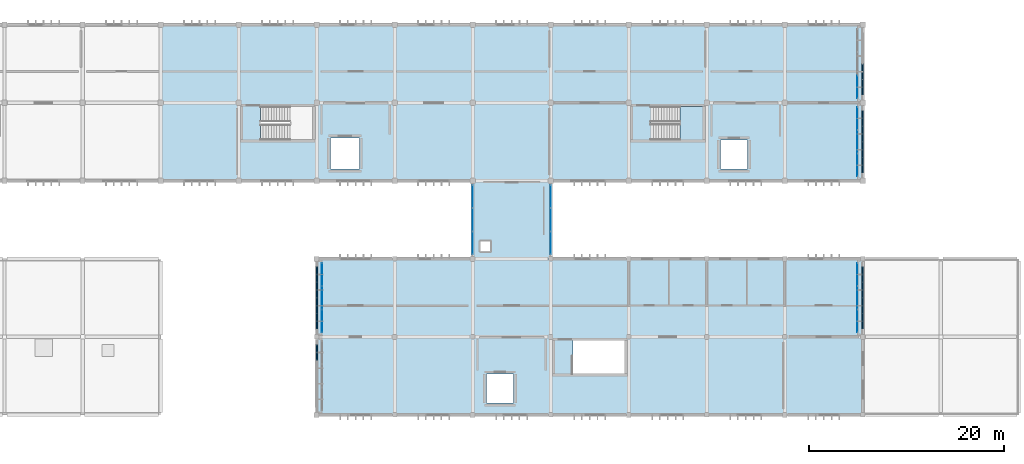
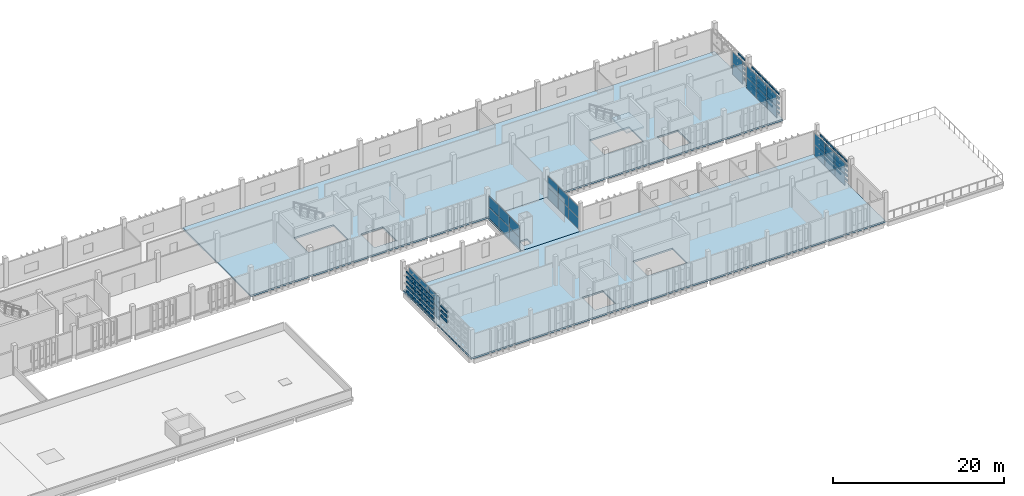
# One storey, part 18 of 32: 101 plates, 4 slabs, 7 elements without a shape of their own.
"""IFC4 building model written with IfcOpenShell, lengths in metres."""

import ifcopenshell
import ifcopenshell.guid

model = None  # the IFC model being written
_history = None  # IfcOwnerHistory: only IFC2X3 demands one
_inside = {}  # id of a spatial element -> (the spatial element, [elements in it])
_under = {}  # id of a project, library or spatial element -> (it, [spatial elements below it])
_declared = {}  # id of a project -> (the project, [libraries it declares])
_typed = {}  # id of a type object -> (the type object, [elements of that type])
_made_of = {}  # id of a material, layer set ... -> (it, [elements and type objects made of it])


def new_model(schema):
    """Start an empty IFC model of exactly this schema.

    Asked for "IFC4X3", IfcOpenShell would pick the latest addendum, in which some entities
    have other attributes; the version numbers below select the first issue.
    IFC2X3 requires an IfcOwnerHistory on every rooted entity: one is made here for all.
    """
    global model, _history
    if schema == "IFC4X3":
        model = ifcopenshell.file(schema_version=(4, 3, 0, 0))
    else:
        model = ifcopenshell.file(schema=schema)
    _inside.clear()
    _under.clear()
    _declared.clear()
    _typed.clear()
    _made_of.clear()
    _history = None
    if model.schema == "IFC2X3":
        org = make("IfcOrganization", Name="unknown")
        user = make(
            "IfcPersonAndOrganization",
            ThePerson=make("IfcPerson", FamilyName="unknown"),
            TheOrganization=org,
        )
        app = make(
            "IfcApplication",
            ApplicationDeveloper=org,
            Version="unknown",
            ApplicationFullName="unknown",
            ApplicationIdentifier="unknown",
        )
        _history = make(
            "IfcOwnerHistory",
            OwningUser=user,
            OwningApplication=app,
            ChangeAction="ADDED",
            CreationDate=0,
        )
    return model


def make(cls, **values):
    """One entity of the class cls with the attributes given. An attribute that is None is left unset."""
    return model.create_entity(
        cls, **{name: value for name, value in values.items() if value is not None}
    )


def rooted(cls, **values):
    """An entity with a GlobalId (a new one), such as an element, a storey or a relation."""
    return make(cls, GlobalId=ifcopenshell.guid.new(), OwnerHistory=_history, **values)


def si_unit(unit_type, name, prefix=None):
    """IfcSIUnit, for example si_unit("LENGTHUNIT", "METRE", prefix="MILLI")."""
    return make("IfcSIUnit", UnitType=unit_type, Prefix=prefix, Name=name)


def assignment(units):
    """IfcUnitAssignment: the units of a project."""
    return None if units is None else make("IfcUnitAssignment", Units=units)


def point(xyz):
    """IfcCartesianPoint."""
    return None if xyz is None else make("IfcCartesianPoint", Coordinates=xyz)


def direction(xyz):
    """IfcDirection."""
    return None if xyz is None else make("IfcDirection", DirectionRatios=xyz)


def frame(location, z_axis=None, x_axis=None):
    """IfcAxis2Placement3D, a coordinate frame: its origin and axes. An axis left out is left unset."""
    return make(
        "IfcAxis2Placement3D",
        Location=point(location),
        Axis=direction(z_axis),
        RefDirection=direction(x_axis),
    )


def frame_2d(location, x_axis=None):
    """IfcAxis2Placement2D, a coordinate frame in the plane: its origin and x axis."""
    return make(
        "IfcAxis2Placement2D", Location=point(location), RefDirection=direction(x_axis)
    )


def origin():
    """The frame at (0, 0, 0) with its axes left unset."""
    return frame((0.0, 0.0, 0.0))


def origin_2d():
    """The frame at (0, 0) in the plane with its x axis left unset."""
    return frame_2d((0.0, 0.0))


def place(relative_to, where):
    """IfcLocalPlacement: puts the frame where relative to a parent placement (None: the world)."""
    return make(
        "IfcLocalPlacement", PlacementRelTo=relative_to, RelativePlacement=where
    )


def context(
    kind, dimensions, precision=None, world=None, true_north=None, identifier=None
):
    """IfcGeometricRepresentationContext, for example the 3D "Model" context."""
    return make(
        "IfcGeometricRepresentationContext",
        ContextIdentifier=identifier,
        ContextType=kind,
        CoordinateSpaceDimension=dimensions,
        Precision=precision,
        WorldCoordinateSystem=world,
        TrueNorth=true_north,
    )


def subcontext(parent, identifier, kind, view, scale=None):
    """IfcGeometricRepresentationSubContext, for example "Body" below "Model"."""
    return make(
        "IfcGeometricRepresentationSubContext",
        ContextIdentifier=identifier,
        ContextType=kind,
        ParentContext=parent,
        TargetScale=scale,
        TargetView=view,
    )


def project(units=None, contexts=None):
    """IfcProject with its units and contexts."""
    return rooted(
        "IfcProject",
        Name="project",
        RepresentationContexts=contexts,
        UnitsInContext=assignment(units),
    )


def spatial(cls, under=None, at=None, **own):
    """A site, building, storey or space (cls), placed at a placement, below another one or the project."""
    s = rooted(cls, ObjectPlacement=at, **own)
    if under is not None:
        _under.setdefault(under.id(), (under, []))[1].append(s)
    return s


def polyline(points):
    """IfcPolyline through the points."""
    return make("IfcPolyline", Points=[point(p) for p in points])


def profile(cls, at=None, kind="AREA", **sizes):
    """A parametric profile (cls). Its sizes go by their IFC names, for example OverallWidth=200.0."""
    return make(cls, ProfileType=kind, Position=at, **sizes)


def rectangle(**sizes):
    """IfcRectangleProfileDef."""
    return profile("IfcRectangleProfileDef", **sizes)


def outline(outer, holes=None, kind="AREA"):
    """IfcArbitraryClosedProfileDef: a profile drawn as a closed curve; with holes, ...WithVoids."""
    if holes is None:
        return make("IfcArbitraryClosedProfileDef", ProfileType=kind, OuterCurve=outer)
    return make(
        "IfcArbitraryProfileDefWithVoids",
        ProfileType=kind,
        OuterCurve=outer,
        InnerCurves=holes,
    )


def extrude(swept, where, along, depth):
    """IfcExtrudedAreaSolid: the profile swept, set in the frame where, extruded along a direction by depth."""
    return make(
        "IfcExtrudedAreaSolid",
        SweptArea=swept,
        Position=where,
        ExtrudedDirection=direction(along),
        Depth=depth,
    )


def shape(context_of_items, identifier, shape_type, items):
    """IfcShapeRepresentation: the items that make up one representation, for example the "Body"."""
    return make(
        "IfcShapeRepresentation",
        ContextOfItems=context_of_items,
        RepresentationIdentifier=identifier,
        RepresentationType=shape_type,
        Items=items,
    )


def material(Name=None, Category=None):
    """IfcMaterial."""
    return make("IfcMaterial", Name=Name, Category=Category)


def layer(
    of_material, thickness, ventilated=None, Name=None, Category=None, Priority=None
):
    """IfcMaterialLayer: one layer of a wall or slab, of a material (None: an air gap)."""
    return make(
        "IfcMaterialLayer",
        Material=of_material,
        LayerThickness=thickness,
        IsVentilated=ventilated,
        Name=Name,
        Category=Category,
        Priority=Priority,
    )


def layer_set(layers, Name=None):
    """IfcMaterialLayerSet."""
    return make("IfcMaterialLayerSet", MaterialLayers=layers, LayerSetName=Name)


def made_of(thing, what):
    """Note that an element or type object is made of a material, layer set ...; save() writes the relation."""
    if what is not None:
        _made_of.setdefault(what.id(), (what, []))[1].append(thing)
    return thing


def type_object(cls, material=None, **own):
    """A type object (cls), such as IfcWallType, which elements share."""
    return made_of(rooted(cls, **own), material)


def element(
    cls,
    number,
    at=None,
    inside=None,
    cuts=None,
    type_object=None,
    material=None,
    context=None,
    identifier="Body",
    shape_type=None,
    held_by="IfcProductDefinitionShape",
    body=None,
    shapes=None,
    **own,
):
    """One element of the class cls, such as IfcWall. Its Tag is "e" and its number.

    at: its placement. inside: the storey or other place that contains it. cuts: it is an
    opening in that element (IfcRelVoidsElement). A single representation is given by context,
    identifier, shape_type and body (its items); several are given by shapes. held_by: the class
    of the entity that holds the representations. save() writes the other relations.
    """
    e = rooted(cls, Tag="e%d" % number, ObjectPlacement=at, **own)
    if body is not None:
        shapes = [shape(context, identifier, shape_type, body)]
    if shapes is not None:
        e.Representation = make(held_by, Representations=shapes)
    if inside is not None:
        _inside.setdefault(inside.id(), (inside, []))[1].append(e)
    if cuts is not None:
        rooted(
            "IfcRelVoidsElement", RelatingBuildingElement=cuts, RelatedOpeningElement=e
        )
    if type_object is not None:
        _typed.setdefault(type_object.id(), (type_object, []))[1].append(e)
    return made_of(e, material)


def aggregate(whole, parts):
    """IfcRelAggregates: a whole, such as a stair, and the parts it consists of."""
    return rooted("IfcRelAggregates", RelatingObject=whole, RelatedObjects=parts)


def save(model, path):
    """Write the relations noted so far, then the file.

    IfcRelAggregates (storeys below a building ...), IfcRelContainedInSpatialStructure (elements
    in a storey), IfcRelDefinesByType, IfcRelAssociatesMaterial and IfcRelDeclares: one each for
    every whole, place, type object, material and project.
    """
    for whole, parts in _under.values():
        aggregate(whole, parts)
    for where, things in _inside.values():
        rooted(
            "IfcRelContainedInSpatialStructure",
            RelatedElements=things,
            RelatingStructure=where,
        )
    for kind, things in _typed.values():
        rooted("IfcRelDefinesByType", RelatedObjects=things, RelatingType=kind)
    for what, things in _made_of.values():
        rooted("IfcRelAssociatesMaterial", RelatedObjects=things, RelatingMaterial=what)
    for by, libraries in _declared.values():
        rooted("IfcRelDeclares", RelatingContext=by, RelatedDefinitions=libraries)
    model.write(path)


model = new_model("IFC4")

# Units and contexts
model_context = context("Model", 3, precision=1e-05, world=origin(), true_north=direction((0.0, 1.0)))
body_context = subcontext(model_context, "Body", "Model", "MODEL_VIEW")
ifc_project = project(units=[si_unit("LENGTHUNIT", "METRE"), si_unit("AREAUNIT", "SQUARE_METRE"), si_unit("VOLUMEUNIT", "CUBIC_METRE"), si_unit("PLANEANGLEUNIT", "RADIAN"), si_unit("MASSUNIT", "GRAM", prefix="KILO")], contexts=[model_context])

# Site, building, storey
site_placement = place(None, origin())
site = spatial("IfcSite", under=ifc_project, at=site_placement, CompositionType="ELEMENT")
building_placement = place(site_placement, origin())
building = spatial("IfcBuilding", under=site, at=building_placement, Name="Jelvoka-Kovrelna Polytechnic", CompositionType="ELEMENT")
storey_placement = place(building_placement, frame((0.0, 0.0, 26.39990234375)))
storey = spatial("IfcBuildingStorey", under=building, at=storey_placement, Name="L07", CompositionType="ELEMENT", Elevation=26.39990234375)

# Curtain wall, plates
ifc_material_1 = material(Name="Anodised aluminium 6063-T6", Category="aluminium")
ifc_layer_1 = layer(ifc_material_1, 0.159912109375)
ifc_layer_set_1 = layer_set([ifc_layer_1], Name="Anodised aluminium 6063-T6")
curtain_wall_type_1 = type_object("IfcCurtainWallType", Name="CW_Recessed_A", PredefinedType="NOTDEFINED", material=ifc_layer_set_1)
curtain_wall_1_placement = place(storey_placement, origin())
curtain_wall_1 = element("IfcCurtainWall", 1, at=curtain_wall_1_placement, inside=storey, type_object=curtain_wall_type_1, Name="L07 glazed curtain wall 079", PredefinedType="NOTDEFINED")
ifc_material_2 = material(Name="Solar-control double glazing", Category="glass")
ifc_layer_2 = layer(ifc_material_2, 0.028076171875)
ifc_layer_set_2 = layer_set([ifc_layer_2], Name="Solar-control double glazing")
plate_type_1 = type_object("IfcPlateType", Name="Panel_GP-01", PredefinedType="CURTAIN_PANEL", material=ifc_layer_set_2)
plate_1_placement = place(storey_placement, frame((128.56005859375, 41.614990234375, 0.052001953125), z_axis=(0.0, 0.0, 1.0), x_axis=(0.0, 1.0, 0.0)))
plate_1 = element("IfcPlate", 2, at=plate_1_placement, type_object=plate_type_1, Name="CW-01 panel 1.1", PredefinedType="CURTAIN_PANEL", context=body_context, shape_type="SweptSolid", body=[
    extrude(rectangle(XDim=2.326171875, YDim=0.028076171875, at=origin_2d()), origin(), (0.0, 0.0, 1.0), 1.60107421875),
])
plate_2_placement = place(storey_placement, frame((128.56005859375, 41.614990234375, 1.697021484375), z_axis=(0.0, 0.0, 1.0), x_axis=(0.0, 1.0, 0.0)))
plate_2 = element("IfcPlate", 3, at=plate_2_placement, type_object=plate_type_1, Name="CW-01 panel 1.2", PredefinedType="CURTAIN_PANEL", context=body_context, shape_type="SweptSolid", body=[
    extrude(rectangle(XDim=2.326171875, YDim=0.028076171875, at=origin_2d()), origin(), (0.0, 0.0, 1.0), 1.60107421875),
])
plate_3_placement = place(storey_placement, frame((128.56005859375, 44.0, 0.052001953125), z_axis=(0.0, 0.0, 1.0), x_axis=(0.0, 1.0, 0.0)))
plate_3 = element("IfcPlate", 4, at=plate_3_placement, type_object=plate_type_1, Name="CW-01 panel 2.1", PredefinedType="CURTAIN_PANEL", context=body_context, shape_type="SweptSolid", body=[
    extrude(rectangle(XDim=2.356201171875, YDim=0.028076171875, at=origin_2d()), origin(), (0.0, 0.0, 1.0), 1.60107421875),
])
plate_4_placement = place(storey_placement, frame((128.56005859375, 44.0, 1.697021484375), z_axis=(0.0, 0.0, 1.0), x_axis=(0.0, 1.0, 0.0)))
plate_4 = element("IfcPlate", 5, at=plate_4_placement, type_object=plate_type_1, Name="CW-01 panel 2.2", PredefinedType="CURTAIN_PANEL", context=body_context, shape_type="SweptSolid", body=[
    extrude(rectangle(XDim=2.356201171875, YDim=0.028076171875, at=origin_2d()), origin(), (0.0, 0.0, 1.0), 1.60107421875),
])
plate_5_placement = place(storey_placement, frame((128.56005859375, 46.385009765625, 0.052001953125), z_axis=(0.0, 0.0, 1.0), x_axis=(0.0, 1.0, 0.0)))
plate_5 = element("IfcPlate", 6, at=plate_5_placement, type_object=plate_type_1, Name="CW-01 panel 3.1", PredefinedType="CURTAIN_PANEL", context=body_context, shape_type="SweptSolid", body=[
    extrude(rectangle(XDim=2.326171875, YDim=0.028076171875, at=origin_2d()), origin(), (0.0, 0.0, 1.0), 1.60107421875),
])
plate_6_placement = place(storey_placement, frame((128.56005859375, 46.385009765625, 1.697021484375), z_axis=(0.0, 0.0, 1.0), x_axis=(0.0, 1.0, 0.0)))
plate_6 = element("IfcPlate", 7, at=plate_6_placement, type_object=plate_type_1, Name="CW-01 panel 3.2", PredefinedType="CURTAIN_PANEL", context=body_context, shape_type="SweptSolid", body=[
    extrude(rectangle(XDim=2.326171875, YDim=0.028076171875, at=origin_2d()), origin(), (0.0, 0.0, 1.0), 1.60107421875),
])
aggregate(curtain_wall_1, [plate_1, plate_2, plate_3, plate_4, plate_5, plate_6])

curtain_wall_2_placement = place(storey_placement, origin())
curtain_wall_2 = element("IfcCurtainWall", 8, at=curtain_wall_2_placement, inside=storey, type_object=curtain_wall_type_1, Name="L07 glazed curtain wall 080", PredefinedType="NOTDEFINED")
plate_7_placement = place(storey_placement, frame((183.43994140625, 46.385009765625, 0.052001953125), z_axis=(0.0, 0.0, 1.0), x_axis=(0.0, -1.0, 0.0)))
plate_7 = element("IfcPlate", 9, at=plate_7_placement, type_object=plate_type_1, Name="CW-01 panel 1.1", PredefinedType="CURTAIN_PANEL", context=body_context, shape_type="SweptSolid", body=[
    extrude(rectangle(XDim=2.326171875, YDim=0.028076171875, at=origin_2d()), origin(), (0.0, 0.0, 1.0), 1.60107421875),
])
plate_8_placement = place(storey_placement, frame((183.43994140625, 46.385009765625, 1.697021484375), z_axis=(0.0, 0.0, 1.0), x_axis=(0.0, -1.0, 0.0)))
plate_8 = element("IfcPlate", 10, at=plate_8_placement, type_object=plate_type_1, Name="CW-01 panel 1.2", PredefinedType="CURTAIN_PANEL", context=body_context, shape_type="SweptSolid", body=[
    extrude(rectangle(XDim=2.326171875, YDim=0.028076171875, at=origin_2d()), origin(), (0.0, 0.0, 1.0), 1.60107421875),
])
plate_9_placement = place(storey_placement, frame((183.43994140625, 44.0, 0.052001953125), z_axis=(0.0, 0.0, 1.0), x_axis=(0.0, -1.0, 0.0)))
plate_9 = element("IfcPlate", 11, at=plate_9_placement, type_object=plate_type_1, Name="CW-01 panel 2.1", PredefinedType="CURTAIN_PANEL", context=body_context, shape_type="SweptSolid", body=[
    extrude(rectangle(XDim=2.356201171875, YDim=0.028076171875, at=origin_2d()), origin(), (0.0, 0.0, 1.0), 1.60107421875),
])
plate_10_placement = place(storey_placement, frame((183.43994140625, 44.0, 1.697021484375), z_axis=(0.0, 0.0, 1.0), x_axis=(0.0, -1.0, 0.0)))
plate_10 = element("IfcPlate", 12, at=plate_10_placement, type_object=plate_type_1, Name="CW-01 panel 2.2", PredefinedType="CURTAIN_PANEL", context=body_context, shape_type="SweptSolid", body=[
    extrude(rectangle(XDim=2.356201171875, YDim=0.028076171875, at=origin_2d()), origin(), (0.0, 0.0, 1.0), 1.60107421875),
])
plate_11_placement = place(storey_placement, frame((183.43994140625, 41.614990234375, 0.052001953125), z_axis=(0.0, 0.0, 1.0), x_axis=(0.0, -1.0, 0.0)))
plate_11 = element("IfcPlate", 13, at=plate_11_placement, type_object=plate_type_1, Name="CW-01 panel 3.1", PredefinedType="CURTAIN_PANEL", context=body_context, shape_type="SweptSolid", body=[
    extrude(rectangle(XDim=2.326171875, YDim=0.028076171875, at=origin_2d()), origin(), (0.0, 0.0, 1.0), 1.60107421875),
])
plate_12_placement = place(storey_placement, frame((183.43994140625, 41.614990234375, 1.697021484375), z_axis=(0.0, 0.0, 1.0), x_axis=(0.0, -1.0, 0.0)))
plate_12 = element("IfcPlate", 14, at=plate_12_placement, type_object=plate_type_1, Name="CW-01 panel 3.2", PredefinedType="CURTAIN_PANEL", context=body_context, shape_type="SweptSolid", body=[
    extrude(rectangle(XDim=2.326171875, YDim=0.028076171875, at=origin_2d()), origin(), (0.0, 0.0, 1.0), 1.60107421875),
])
aggregate(curtain_wall_2, [plate_7, plate_8, plate_9, plate_10, plate_11, plate_12])

ifc_material_3 = material(Name="Anodised aluminium 6063-T6", Category="aluminium")
ifc_layer_3 = layer(ifc_material_3, 0.179931640625)
ifc_layer_set_3 = layer_set([ifc_layer_3], Name="Anodised aluminium 6063-T6")
curtain_wall_type_2 = type_object("IfcCurtainWallType", Name="CW_Recessed_B", PredefinedType="NOTDEFINED", material=ifc_layer_set_3)
curtain_wall_3_placement = place(storey_placement, origin())
curtain_wall_3 = element("IfcCurtainWall", 15, at=curtain_wall_3_placement, inside=storey, type_object=curtain_wall_type_2, Name="L07 glazed curtain wall 095", PredefinedType="NOTDEFINED")
ifc_material_4 = material(Name="Solar-control double glazing", Category="glass")
ifc_layer_4 = layer(ifc_material_4, 0.031982421875)
ifc_layer_set_4 = layer_set([ifc_layer_4], Name="Solar-control double glazing")
plate_type_2 = type_object("IfcPlateType", Name="Panel_GP-02", PredefinedType="CURTAIN_PANEL", material=ifc_layer_set_4)
plate_13_placement = place(storey_placement, frame((183.43994140625, 62.3837890625, 0.056884765625), z_axis=(0.0, 0.0, 1.0), x_axis=(0.0, -1.0, 0.0)))
plate_13 = element("IfcPlate", 16, at=plate_13_placement, type_object=plate_type_2, Name="CW-02 panel 1.1", PredefinedType="CURTAIN_PANEL", context=body_context, shape_type="SweptSolid", body=[
    extrude(rectangle(XDim=2.318603515625, YDim=0.031982421875, at=origin_2d()), origin(), (0.0, 0.0, 1.0), 1.593505859375),
])
plate_14_placement = place(storey_placement, frame((183.43994140625, 62.3837890625, 1.699462890625), z_axis=(0.0, 0.0, 1.0), x_axis=(0.0, -1.0, 0.0)))
plate_14 = element("IfcPlate", 17, at=plate_14_placement, type_object=plate_type_2, Name="CW-02 panel 1.2", PredefinedType="CURTAIN_PANEL", context=body_context, shape_type="SweptSolid", body=[
    extrude(rectangle(XDim=2.318603515625, YDim=0.031982421875, at=origin_2d()), origin(), (0.0, 0.0, 1.0), 1.593505859375),
])
plate_15_placement = place(storey_placement, frame((183.43994140625, 60.0, 0.056884765625), z_axis=(0.0, 0.0, 1.0), x_axis=(0.0, -1.0, 0.0)))
plate_15 = element("IfcPlate", 18, at=plate_15_placement, type_object=plate_type_2, Name="CW-02 panel 2.1", PredefinedType="CURTAIN_PANEL", context=body_context, shape_type="SweptSolid", body=[
    extrude(rectangle(XDim=2.35107421875, YDim=0.031982421875, at=origin_2d()), origin(), (0.0, 0.0, 1.0), 1.593505859375),
])
plate_16_placement = place(storey_placement, frame((183.43994140625, 60.0, 1.699462890625), z_axis=(0.0, 0.0, 1.0), x_axis=(0.0, -1.0, 0.0)))
plate_16 = element("IfcPlate", 19, at=plate_16_placement, type_object=plate_type_2, Name="CW-02 panel 2.2", PredefinedType="CURTAIN_PANEL", context=body_context, shape_type="SweptSolid", body=[
    extrude(rectangle(XDim=2.35107421875, YDim=0.031982421875, at=origin_2d()), origin(), (0.0, 0.0, 1.0), 1.593505859375),
])
plate_17_placement = place(storey_placement, frame((183.43994140625, 57.6162109375, 0.056884765625), z_axis=(0.0, 0.0, 1.0), x_axis=(0.0, -1.0, 0.0)))
plate_17 = element("IfcPlate", 20, at=plate_17_placement, type_object=plate_type_2, Name="CW-02 panel 3.1", PredefinedType="CURTAIN_PANEL", context=body_context, shape_type="SweptSolid", body=[
    extrude(rectangle(XDim=2.318603515625, YDim=0.031982421875, at=origin_2d()), origin(), (0.0, 0.0, 1.0), 1.593505859375),
])
plate_18_placement = place(storey_placement, frame((183.43994140625, 57.6162109375, 1.699462890625), z_axis=(0.0, 0.0, 1.0), x_axis=(0.0, -1.0, 0.0)))
plate_18 = element("IfcPlate", 21, at=plate_18_placement, type_object=plate_type_2, Name="CW-02 panel 3.2", PredefinedType="CURTAIN_PANEL", context=body_context, shape_type="SweptSolid", body=[
    extrude(rectangle(XDim=2.318603515625, YDim=0.031982421875, at=origin_2d()), origin(), (0.0, 0.0, 1.0), 1.593505859375),
])
aggregate(curtain_wall_3, [plate_13, plate_14, plate_15, plate_16, plate_17, plate_18])

curtain_wall_4_placement = place(storey_placement, origin())
curtain_wall_4 = element("IfcCurtainWall", 22, at=curtain_wall_4_placement, inside=storey, type_object=curtain_wall_type_2, Name="L07 glazed curtain wall 096", PredefinedType="NOTDEFINED")
plate_19_placement = place(storey_placement, frame((183.43994140625, 65.6162109375, 0.056884765625), z_axis=(0.0, 0.0, 1.0), x_axis=(0.0, -1.0, 0.0)))
plate_19 = element("IfcPlate", 23, at=plate_19_placement, type_object=plate_type_2, Name="CW-02 panel 3.1", PredefinedType="CURTAIN_PANEL", context=body_context, shape_type="SweptSolid", body=[
    extrude(rectangle(XDim=2.318603515625, YDim=0.031982421875, at=origin_2d()), origin(), (0.0, 0.0, 1.0), 1.593505859375),
])
plate_20_placement = place(storey_placement, frame((183.43994140625, 65.6162109375, 1.699462890625), z_axis=(0.0, 0.0, 1.0), x_axis=(0.0, -1.0, 0.0)))
plate_20 = element("IfcPlate", 24, at=plate_20_placement, type_object=plate_type_2, Name="CW-02 panel 3.2", PredefinedType="CURTAIN_PANEL", context=body_context, shape_type="SweptSolid", body=[
    extrude(rectangle(XDim=2.318603515625, YDim=0.031982421875, at=origin_2d()), origin(), (0.0, 0.0, 1.0), 1.593505859375),
])
aggregate(curtain_wall_4, [plate_19, plate_20])

ifc_material_5 = material(Name="Anodised aluminium 6063-T6", Category="aluminium")
ifc_layer_5 = layer(ifc_material_5, 0.159912109375)
ifc_layer_set_5 = layer_set([ifc_layer_5], Name="Anodised aluminium 6063-T6")
curtain_wall_type_3 = type_object("IfcCurtainWallType", Name="CW_LinkBridge", PredefinedType="NOTDEFINED", material=ifc_layer_set_5)
curtain_wall_5_placement = place(storey_placement, origin())
curtain_wall_5 = element("IfcCurtainWall", 25, at=curtain_wall_5_placement, inside=storey, type_object=curtain_wall_type_3, Name="L07 glazed curtain wall 161", PredefinedType="NOTDEFINED")
ifc_material_6 = material(Name="Solar-control double glazing", Category="glass")
ifc_layer_6 = layer(ifc_material_6, 0.02392578125)
ifc_layer_set_6 = layer_set([ifc_layer_6], Name="Solar-control double glazing")
plate_type_3 = type_object("IfcPlateType", Name="Panel_GP-04", PredefinedType="CURTAIN_PANEL", material=ifc_layer_set_6)
plate_21_placement = place(storey_placement, frame((144.0, 49.614990234375, 0.052001953125), z_axis=(0.0, 0.0, 1.0), x_axis=(0.0, 1.0, 0.0)))
plate_21 = element("IfcPlate", 26, at=plate_21_placement, type_object=plate_type_3, Name="CW-04 panel 1.1", PredefinedType="CURTAIN_PANEL", context=body_context, shape_type="SweptSolid", body=[
    extrude(rectangle(XDim=2.326171875, YDim=0.02392578125, at=origin_2d()), origin(), (0.0, 0.0, 1.0), 1.60107421875),
])
plate_22_placement = place(storey_placement, frame((144.0, 49.614990234375, 1.697021484375), z_axis=(0.0, 0.0, 1.0), x_axis=(0.0, 1.0, 0.0)))
plate_22 = element("IfcPlate", 27, at=plate_22_placement, type_object=plate_type_3, Name="CW-04 panel 1.2", PredefinedType="CURTAIN_PANEL", context=body_context, shape_type="SweptSolid", body=[
    extrude(rectangle(XDim=2.326171875, YDim=0.02392578125, at=origin_2d()), origin(), (0.0, 0.0, 1.0), 1.60107421875),
])
plate_23_placement = place(storey_placement, frame((144.0, 52.0, 0.052001953125), z_axis=(0.0, 0.0, 1.0), x_axis=(0.0, 1.0, 0.0)))
plate_23 = element("IfcPlate", 28, at=plate_23_placement, type_object=plate_type_3, Name="CW-04 panel 2.1", PredefinedType="CURTAIN_PANEL", context=body_context, shape_type="SweptSolid", body=[
    extrude(rectangle(XDim=2.356201171875, YDim=0.02392578125, at=origin_2d()), origin(), (0.0, 0.0, 1.0), 1.60107421875),
])
plate_24_placement = place(storey_placement, frame((144.0, 52.0, 1.697021484375), z_axis=(0.0, 0.0, 1.0), x_axis=(0.0, 1.0, 0.0)))
plate_24 = element("IfcPlate", 29, at=plate_24_placement, type_object=plate_type_3, Name="CW-04 panel 2.2", PredefinedType="CURTAIN_PANEL", context=body_context, shape_type="SweptSolid", body=[
    extrude(rectangle(XDim=2.356201171875, YDim=0.02392578125, at=origin_2d()), origin(), (0.0, 0.0, 1.0), 1.60107421875),
])
plate_25_placement = place(storey_placement, frame((144.0, 54.385009765625, 0.052001953125), z_axis=(0.0, 0.0, 1.0), x_axis=(0.0, 1.0, 0.0)))
plate_25 = element("IfcPlate", 30, at=plate_25_placement, type_object=plate_type_3, Name="CW-04 panel 3.1", PredefinedType="CURTAIN_PANEL", context=body_context, shape_type="SweptSolid", body=[
    extrude(rectangle(XDim=2.326171875, YDim=0.02392578125, at=origin_2d()), origin(), (0.0, 0.0, 1.0), 1.60107421875),
])
plate_26_placement = place(storey_placement, frame((144.0, 54.385009765625, 1.697021484375), z_axis=(0.0, 0.0, 1.0), x_axis=(0.0, 1.0, 0.0)))
plate_26 = element("IfcPlate", 31, at=plate_26_placement, type_object=plate_type_3, Name="CW-04 panel 3.2", PredefinedType="CURTAIN_PANEL", context=body_context, shape_type="SweptSolid", body=[
    extrude(rectangle(XDim=2.326171875, YDim=0.02392578125, at=origin_2d()), origin(), (0.0, 0.0, 1.0), 1.60107421875),
])
aggregate(curtain_wall_5, [plate_21, plate_22, plate_23, plate_24, plate_25, plate_26])

curtain_wall_6_placement = place(storey_placement, origin())
curtain_wall_6 = element("IfcCurtainWall", 32, at=curtain_wall_6_placement, inside=storey, type_object=curtain_wall_type_3, Name="L07 glazed curtain wall 162", PredefinedType="NOTDEFINED")
plate_27_placement = place(storey_placement, frame((152.0, 54.385009765625, 0.052001953125), z_axis=(0.0, 0.0, 1.0), x_axis=(0.0, -1.0, 0.0)))
plate_27 = element("IfcPlate", 33, at=plate_27_placement, type_object=plate_type_3, Name="CW-04 panel 1.1", PredefinedType="CURTAIN_PANEL", context=body_context, shape_type="SweptSolid", body=[
    extrude(rectangle(XDim=2.326171875, YDim=0.02392578125, at=origin_2d()), origin(), (0.0, 0.0, 1.0), 1.60107421875),
])
plate_28_placement = place(storey_placement, frame((152.0, 54.385009765625, 1.697021484375), z_axis=(0.0, 0.0, 1.0), x_axis=(0.0, -1.0, 0.0)))
plate_28 = element("IfcPlate", 34, at=plate_28_placement, type_object=plate_type_3, Name="CW-04 panel 1.2", PredefinedType="CURTAIN_PANEL", context=body_context, shape_type="SweptSolid", body=[
    extrude(rectangle(XDim=2.326171875, YDim=0.02392578125, at=origin_2d()), origin(), (0.0, 0.0, 1.0), 1.60107421875),
])
plate_29_placement = place(storey_placement, frame((152.0, 52.0, 0.052001953125), z_axis=(0.0, 0.0, 1.0), x_axis=(0.0, -1.0, 0.0)))
plate_29 = element("IfcPlate", 35, at=plate_29_placement, type_object=plate_type_3, Name="CW-04 panel 2.1", PredefinedType="CURTAIN_PANEL", context=body_context, shape_type="SweptSolid", body=[
    extrude(rectangle(XDim=2.356201171875, YDim=0.02392578125, at=origin_2d()), origin(), (0.0, 0.0, 1.0), 1.60107421875),
])
plate_30_placement = place(storey_placement, frame((152.0, 52.0, 1.697021484375), z_axis=(0.0, 0.0, 1.0), x_axis=(0.0, -1.0, 0.0)))
plate_30 = element("IfcPlate", 36, at=plate_30_placement, type_object=plate_type_3, Name="CW-04 panel 2.2", PredefinedType="CURTAIN_PANEL", context=body_context, shape_type="SweptSolid", body=[
    extrude(rectangle(XDim=2.356201171875, YDim=0.02392578125, at=origin_2d()), origin(), (0.0, 0.0, 1.0), 1.60107421875),
])
plate_31_placement = place(storey_placement, frame((152.0, 49.614990234375, 0.052001953125), z_axis=(0.0, 0.0, 1.0), x_axis=(0.0, -1.0, 0.0)))
plate_31 = element("IfcPlate", 37, at=plate_31_placement, type_object=plate_type_3, Name="CW-04 panel 3.1", PredefinedType="CURTAIN_PANEL", context=body_context, shape_type="SweptSolid", body=[
    extrude(rectangle(XDim=2.326171875, YDim=0.02392578125, at=origin_2d()), origin(), (0.0, 0.0, 1.0), 1.60107421875),
])
plate_32_placement = place(storey_placement, frame((152.0, 49.614990234375, 1.697021484375), z_axis=(0.0, 0.0, 1.0), x_axis=(0.0, -1.0, 0.0)))
plate_32 = element("IfcPlate", 38, at=plate_32_placement, type_object=plate_type_3, Name="CW-04 panel 3.2", PredefinedType="CURTAIN_PANEL", context=body_context, shape_type="SweptSolid", body=[
    extrude(rectangle(XDim=2.326171875, YDim=0.02392578125, at=origin_2d()), origin(), (0.0, 0.0, 1.0), 1.60107421875),
])
aggregate(curtain_wall_6, [plate_27, plate_28, plate_29, plate_30, plate_31, plate_32])

# Plates
ifc_material_7 = material(Name="Perforated fired terracotta block", Category="masonry")
ifc_layer_7 = layer(ifc_material_7, 0.14990234375)
ifc_layer_set_7 = layer_set([ifc_layer_7], Name="Perforated fired terracotta block")
plate_type_4 = type_object("IfcPlateType", Name="Screen_Terracotta_TP03", PredefinedType="USERDEFINED", material=ifc_layer_set_7)
for number, where, z_axis, x_axis, name in (
    (39, (128.02001953125, 38.39990234375, 1.5751953125), (0.0, 0.0, 1.0), (0.0, 1.0, 0.0), "L07 perforated terracotta lattice band 0918"),
    (40, (128.02001953125, 38.39990234375, 2.267578125), (0.0, 0.0, 1.0), (0.0, 1.0, 0.0), "L07 perforated terracotta lattice band 0919"),
    (41, (128.02001953125, 38.39990234375, 2.9599609375), (0.0, 0.0, 1.0), (0.0, 1.0, 0.0), "L07 perforated terracotta lattice band 0920"),
    (42, (128.02001953125, 41.60009765625, 0.18994140625), (0.0, 0.0, 1.0), (0.0, 1.0, 0.0), "L07 perforated terracotta lattice band 0921"),
    (43, (128.02001953125, 41.60009765625, 0.8828125), (0.0, 0.0, 1.0), (0.0, 1.0, 0.0), "L07 perforated terracotta lattice band 0922"),
    (44, (128.02001953125, 41.60009765625, 1.5751953125), (0.0, 0.0, 1.0), (0.0, 1.0, 0.0), "L07 perforated terracotta lattice band 0923"),
    (45, (128.02001953125, 41.60009765625, 2.267578125), (0.0, 0.0, 1.0), (0.0, 1.0, 0.0), "L07 perforated terracotta lattice band 0924"),
    (46, (128.02001953125, 41.60009765625, 2.9599609375), (0.0, 0.0, 1.0), (0.0, 1.0, 0.0), "L07 perforated terracotta lattice band 0925"),
    (47, (128.02001953125, 43.199951171875, 0.18994140625), (0.0, 0.0, 1.0), (0.0, 1.0, 0.0), "L07 perforated terracotta lattice band 0926"),
    (48, (128.02001953125, 43.199951171875, 0.8828125), (0.0, 0.0, 1.0), (0.0, 1.0, 0.0), "L07 perforated terracotta lattice band 0927"),
    (49, (128.02001953125, 43.199951171875, 1.5751953125), (0.0, 0.0, 1.0), (0.0, 1.0, 0.0), "L07 perforated terracotta lattice band 0928"),
    (50, (128.02001953125, 43.199951171875, 2.267578125), (0.0, 0.0, 1.0), (0.0, 1.0, 0.0), "L07 perforated terracotta lattice band 0929"),
    (51, (128.02001953125, 43.199951171875, 2.9599609375), (0.0, 0.0, 1.0), (0.0, 1.0, 0.0), "L07 perforated terracotta lattice band 0930"),
    (52, (128.02001953125, 44.800048828125, 0.18994140625), (0.0, 0.0, 1.0), (0.0, 1.0, 0.0), "L07 perforated terracotta lattice band 0931"),
    (53, (128.02001953125, 44.800048828125, 0.8828125), (0.0, 0.0, 1.0), (0.0, 1.0, 0.0), "L07 perforated terracotta lattice band 0932"),
    (54, (128.02001953125, 44.800048828125, 1.5751953125), (0.0, 0.0, 1.0), (0.0, 1.0, 0.0), "L07 perforated terracotta lattice band 0933"),
    (55, (128.02001953125, 44.800048828125, 2.267578125), (0.0, 0.0, 1.0), (0.0, 1.0, 0.0), "L07 perforated terracotta lattice band 0934"),
    (56, (128.02001953125, 44.800048828125, 2.9599609375), (0.0, 0.0, 1.0), (0.0, 1.0, 0.0), "L07 perforated terracotta lattice band 0935"),
    (57, (128.02001953125, 46.39990234375, 0.18994140625), (0.0, 0.0, 1.0), (0.0, 1.0, 0.0), "L07 perforated terracotta lattice band 0936"),
    (58, (128.02001953125, 46.39990234375, 0.8828125), (0.0, 0.0, 1.0), (0.0, 1.0, 0.0), "L07 perforated terracotta lattice band 0937"),
    (59, (128.02001953125, 46.39990234375, 1.5751953125), (0.0, 0.0, 1.0), (0.0, 1.0, 0.0), "L07 perforated terracotta lattice band 0938"),
    (60, (128.02001953125, 46.39990234375, 2.267578125), (0.0, 0.0, 1.0), (0.0, 1.0, 0.0), "L07 perforated terracotta lattice band 0939"),
    (61, (128.02001953125, 46.39990234375, 2.9599609375), (0.0, 0.0, 1.0), (0.0, 1.0, 0.0), "L07 perforated terracotta lattice band 0940"),
    (62, (183.97998046875, 41.60009765625, 0.25), (0.0, 0.0, 1.0), (0.0, 1.0, 0.0), "L07 perforated terracotta lattice band 0941"),
    (63, (183.97998046875, 41.60009765625, 0.927734375), (0.0, 0.0, 1.0), (0.0, 1.0, 0.0), "L07 perforated terracotta lattice band 0942"),
    (64, (183.97998046875, 41.60009765625, 1.60498046875), (0.0, 0.0, 1.0), (0.0, 1.0, 0.0), "L07 perforated terracotta lattice band 0943"),
    (65, (183.97998046875, 41.60009765625, 2.28271484375), (0.0, 0.0, 1.0), (0.0, 1.0, 0.0), "L07 perforated terracotta lattice band 0944"),
    (66, (183.97998046875, 41.60009765625, 2.9599609375), (0.0, 0.0, 1.0), (0.0, 1.0, 0.0), "L07 perforated terracotta lattice band 0945"),
    (67, (183.97998046875, 43.199951171875, 0.25), (0.0, 0.0, 1.0), (0.0, 1.0, 0.0), "L07 perforated terracotta lattice band 0946"),
    (68, (183.97998046875, 43.199951171875, 0.927734375), (0.0, 0.0, 1.0), (0.0, 1.0, 0.0), "L07 perforated terracotta lattice band 0947"),
    (69, (183.97998046875, 43.199951171875, 1.60498046875), (0.0, 0.0, 1.0), (0.0, 1.0, 0.0), "L07 perforated terracotta lattice band 0948"),
    (70, (183.97998046875, 43.199951171875, 2.28271484375), (0.0, 0.0, 1.0), (0.0, 1.0, 0.0), "L07 perforated terracotta lattice band 0949"),
    (71, (183.97998046875, 43.199951171875, 2.9599609375), (0.0, 0.0, 1.0), (0.0, 1.0, 0.0), "L07 perforated terracotta lattice band 0950"),
    (72, (183.97998046875, 44.800048828125, 0.25), (0.0, 0.0, 1.0), (0.0, 1.0, 0.0), "L07 perforated terracotta lattice band 0951"),
    (73, (183.97998046875, 44.800048828125, 0.927734375), (0.0, 0.0, 1.0), (0.0, 1.0, 0.0), "L07 perforated terracotta lattice band 0952"),
    (74, (183.97998046875, 44.800048828125, 1.60498046875), (0.0, 0.0, 1.0), (0.0, 1.0, 0.0), "L07 perforated terracotta lattice band 0953"),
    (75, (183.97998046875, 44.800048828125, 2.28271484375), (0.0, 0.0, 1.0), (0.0, 1.0, 0.0), "L07 perforated terracotta lattice band 0954"),
    (76, (183.97998046875, 44.800048828125, 2.9599609375), (0.0, 0.0, 1.0), (0.0, 1.0, 0.0), "L07 perforated terracotta lattice band 0955"),
    (77, (183.97998046875, 46.39990234375, 0.25), (0.0, 0.0, 1.0), (0.0, 1.0, 0.0), "L07 perforated terracotta lattice band 0956"),
    (78, (183.97998046875, 46.39990234375, 0.927734375), (0.0, 0.0, 1.0), (0.0, 1.0, 0.0), "L07 perforated terracotta lattice band 0957"),
    (79, (183.97998046875, 46.39990234375, 1.60498046875), (0.0, 0.0, 1.0), (0.0, 1.0, 0.0), "L07 perforated terracotta lattice band 0958"),
    (80, (183.97998046875, 46.39990234375, 2.28271484375), (0.0, 0.0, 1.0), (0.0, 1.0, 0.0), "L07 perforated terracotta lattice band 0959"),
    (81, (183.97998046875, 46.39990234375, 2.9599609375), (0.0, 0.0, 1.0), (0.0, 1.0, 0.0), "L07 perforated terracotta lattice band 0960"),
):
    element("IfcPlate", number, at=place(storey_placement, frame(where, z_axis=z_axis, x_axis=x_axis)), inside=storey, type_object=plate_type_4, Name=name, ObjectType="SCREEN PANEL", PredefinedType="USERDEFINED", context=body_context, shape_type="SweptSolid", body=[
        extrude(rectangle(XDim=1.56005859375, YDim=0.14990234375, at=origin_2d()), origin(), (0.0, 0.0, 1.0), 0.260009765625),
    ])
ifc_material_8 = material(Name="Perforated fired terracotta block", Category="masonry")
ifc_layer_8 = layer(ifc_material_8, 0.169921875)
ifc_layer_set_8 = layer_set([ifc_layer_8], Name="Perforated fired terracotta block")
plate_type_5 = type_object("IfcPlateType", Name="Screen_Terracotta_TP04", PredefinedType="USERDEFINED", material=ifc_layer_set_8)
for number, where, z_axis, x_axis, name in (
    (82, (183.97998046875, 57.60009765625, 0.18994140625), (0.0, 0.0, 1.0), (0.0, 1.0, 0.0), "L07 perforated terracotta lattice band 1241"),
    (83, (183.97998046875, 57.60009765625, 0.8828125), (0.0, 0.0, 1.0), (0.0, 1.0, 0.0), "L07 perforated terracotta lattice band 1242"),
    (84, (183.97998046875, 57.60009765625, 1.5751953125), (0.0, 0.0, 1.0), (0.0, 1.0, 0.0), "L07 perforated terracotta lattice band 1243"),
    (85, (183.97998046875, 57.60009765625, 2.267578125), (0.0, 0.0, 1.0), (0.0, 1.0, 0.0), "L07 perforated terracotta lattice band 1244"),
    (86, (183.97998046875, 57.60009765625, 2.9599609375), (0.0, 0.0, 1.0), (0.0, 1.0, 0.0), "L07 perforated terracotta lattice band 1245"),
    (87, (183.97998046875, 59.199951171875, 0.18994140625), (0.0, 0.0, 1.0), (0.0, 1.0, 0.0), "L07 perforated terracotta lattice band 1246"),
    (88, (183.97998046875, 59.199951171875, 0.8828125), (0.0, 0.0, 1.0), (0.0, 1.0, 0.0), "L07 perforated terracotta lattice band 1247"),
    (89, (183.97998046875, 59.199951171875, 1.5751953125), (0.0, 0.0, 1.0), (0.0, 1.0, 0.0), "L07 perforated terracotta lattice band 1248"),
    (90, (183.97998046875, 59.199951171875, 2.267578125), (0.0, 0.0, 1.0), (0.0, 1.0, 0.0), "L07 perforated terracotta lattice band 1249"),
    (91, (183.97998046875, 59.199951171875, 2.9599609375), (0.0, 0.0, 1.0), (0.0, 1.0, 0.0), "L07 perforated terracotta lattice band 1250"),
    (92, (183.97998046875, 60.800048828125, 0.18994140625), (0.0, 0.0, 1.0), (0.0, 1.0, 0.0), "L07 perforated terracotta lattice band 1251"),
    (93, (183.97998046875, 60.800048828125, 0.8828125), (0.0, 0.0, 1.0), (0.0, 1.0, 0.0), "L07 perforated terracotta lattice band 1252"),
    (94, (183.97998046875, 60.800048828125, 1.5751953125), (0.0, 0.0, 1.0), (0.0, 1.0, 0.0), "L07 perforated terracotta lattice band 1253"),
    (95, (183.97998046875, 60.800048828125, 2.267578125), (0.0, 0.0, 1.0), (0.0, 1.0, 0.0), "L07 perforated terracotta lattice band 1254"),
    (96, (183.97998046875, 60.800048828125, 2.9599609375), (0.0, 0.0, 1.0), (0.0, 1.0, 0.0), "L07 perforated terracotta lattice band 1255"),
    (97, (183.97998046875, 62.39990234375, 0.18994140625), (0.0, 0.0, 1.0), (0.0, 1.0, 0.0), "L07 perforated terracotta lattice band 1256"),
    (98, (183.97998046875, 62.39990234375, 0.8828125), (0.0, 0.0, 1.0), (0.0, 1.0, 0.0), "L07 perforated terracotta lattice band 1257"),
    (99, (183.97998046875, 62.39990234375, 1.5751953125), (0.0, 0.0, 1.0), (0.0, 1.0, 0.0), "L07 perforated terracotta lattice band 1258"),
    (100, (183.97998046875, 62.39990234375, 2.267578125), (0.0, 0.0, 1.0), (0.0, 1.0, 0.0), "L07 perforated terracotta lattice band 1259"),
    (101, (183.97998046875, 62.39990234375, 2.9599609375), (0.0, 0.0, 1.0), (0.0, 1.0, 0.0), "L07 perforated terracotta lattice band 1260"),
    (102, (183.97998046875, 65.60009765625, 0.18994140625), (0.0, 0.0, 1.0), (0.0, 1.0, 0.0), "L07 perforated terracotta lattice band 1261"),
    (103, (183.97998046875, 65.60009765625, 0.8828125), (0.0, 0.0, 1.0), (0.0, 1.0, 0.0), "L07 perforated terracotta lattice band 1262"),
    (104, (183.97998046875, 65.60009765625, 1.5751953125), (0.0, 0.0, 1.0), (0.0, 1.0, 0.0), "L07 perforated terracotta lattice band 1263"),
    (105, (183.97998046875, 65.60009765625, 2.267578125), (0.0, 0.0, 1.0), (0.0, 1.0, 0.0), "L07 perforated terracotta lattice band 1264"),
    (106, (183.97998046875, 65.60009765625, 2.9599609375), (0.0, 0.0, 1.0), (0.0, 1.0, 0.0), "L07 perforated terracotta lattice band 1265"),
    (107, (183.97998046875, 67.199951171875, 0.18994140625), (0.0, 0.0, 1.0), (0.0, 1.0, 0.0), "L07 perforated terracotta lattice band 1266"),
):
    element("IfcPlate", number, at=place(storey_placement, frame(where, z_axis=z_axis, x_axis=x_axis)), inside=storey, type_object=plate_type_5, Name=name, ObjectType="SCREEN PANEL", PredefinedType="USERDEFINED", context=body_context, shape_type="SweptSolid", body=[
        extrude(rectangle(XDim=1.56005859375, YDim=0.169921875, at=origin_2d()), origin(), (0.0, 0.0, 1.0), 0.260009765625),
    ])

# Slabs
ifc_material_9 = material(Name="Concrete C35/45", Category="concrete")
ifc_layer_9 = layer(ifc_material_9, 0.239990234375)
ifc_layer_set_9 = layer_set([ifc_layer_9], Name="Concrete C35/45")
slab_type_1 = type_object("IfcSlabType", Name="Slab_Floor_240", PredefinedType="FLOOR", material=ifc_layer_set_9)
slab_1_placement = place(storey_placement, frame((0.0, 0.0, -0.239990234375)))
element("IfcSlab", 108, at=slab_1_placement, inside=storey, type_object=slab_type_1, Name="L07 B2E structural slab", PredefinedType="FLOOR", context=body_context, shape_type="SweptSolid", body=[
    extrude(outline(polyline([(128.0, 32.0), (184.0, 32.0), (184.0, 48.0), (128.0, 48.0), (128.0, 32.0)]), holes=[polyline([(145.39990234375, 33.199951171875), (148.199951171875, 33.199951171875), (148.199951171875, 36.199951171875), (145.39990234375, 36.199951171875), (145.39990234375, 33.199951171875)]), polyline([(154.264892578125, 36.199951171875), (159.60009765625, 36.199951171875), (159.60009765625, 39.639892578125), (154.264892578125, 39.639892578125), (154.264892578125, 36.199951171875)])]), origin(), (0.0, 0.0, 1.0), 0.239990234375),
])
slab_2_placement = place(storey_placement, frame((0.0, 0.0, -0.239990234375)))
element("IfcSlab", 109, at=slab_2_placement, inside=storey, type_object=slab_type_1, Name="L07 B3E structural slab", PredefinedType="FLOOR", context=body_context, shape_type="SweptSolid", body=[
    extrude(outline(polyline([(112.0, 56.0), (184.0, 56.0), (184.0, 72.0), (112.0, 72.0), (112.0, 56.0)]), holes=[polyline([(169.39990234375, 57.199951171875), (172.199951171875, 57.199951171875), (172.199951171875, 60.199951171875), (169.39990234375, 60.199951171875), (169.39990234375, 57.199951171875)]), polyline([(129.39990234375, 57.199951171875), (132.39990234375, 57.199951171875), (132.39990234375, 60.39990234375), (129.39990234375, 60.39990234375), (129.39990234375, 57.199951171875)]), polyline([(162.264892578125, 60.199951171875), (167.60009765625, 60.199951171875), (167.60009765625, 63.639892578125), (162.264892578125, 63.639892578125), (162.264892578125, 60.199951171875)]), polyline([(122.264892578125, 60.199951171875), (127.60009765625, 60.199951171875), (127.60009765625, 63.639892578125), (122.264892578125, 63.639892578125), (122.264892578125, 60.199951171875)])]), origin(), (0.0, 0.0, 1.0), 0.239990234375),
])
slab_3_placement = place(storey_placement, frame((0.0, 0.0, -0.239990234375)))
element("IfcSlab", 110, at=slab_3_placement, inside=storey, type_object=slab_type_1, Name="L07 LNKNE structural slab", PredefinedType="FLOOR", context=body_context, shape_type="SweptSolid", body=[
    extrude(outline(polyline([(144.0, 48.0), (152.0, 48.0), (152.0, 56.0), (144.0, 56.0), (144.0, 48.0)]), holes=[polyline([(144.800048828125, 48.800048828125), (145.800048828125, 48.800048828125), (145.800048828125, 49.800048828125), (144.800048828125, 49.800048828125), (144.800048828125, 48.800048828125)])]), origin(), (0.0, 0.0, 1.0), 0.239990234375),
])

# Stair, slab
ifc_material_10 = material(Name="Concrete C35/45", Category="concrete")
stair_type = type_object("IfcStairType", Name="Stair_Dogleg_1620", PredefinedType="TWO_STRAIGHT_RUN_STAIR", material=ifc_material_10)
stair_placement = place(storey_placement, origin())
stair = element("IfcStair", 111, at=stair_placement, inside=storey, type_object=stair_type, Name="L07 ST10", PredefinedType="TWO_STRAIGHT_RUN_STAIR")
ifc_material_11 = material(Name="Concrete C35/45", Category="concrete")
ifc_layer_10 = layer(ifc_material_11, 0.199951171875)
ifc_layer_set_10 = layer_set([ifc_layer_10], Name="Concrete C35/45")
slab_type_2 = type_object("IfcSlabType", Name="Slab_Stair_Landing_200", PredefinedType="LANDING", material=ifc_layer_set_10)
slab_4_placement = place(storey_placement, frame((0.0, 0.0, 1.900146484375)))
slab_4 = element("IfcSlab", 112, at=slab_4_placement, type_object=slab_type_2, Name="ST10 landing 1", PredefinedType="LANDING", context=body_context, shape_type="SweptSolid", body=[
    extrude(outline(polyline([(165.27490234375, 60.199951171875), (167.60009765625, 60.199951171875), (167.60009765625, 63.639892578125), (165.27490234375, 63.639892578125), (165.27490234375, 60.199951171875)])), origin(), (0.0, 0.0, 1.0), 0.199951171875),
])
aggregate(stair, [slab_4])

save(model, "model.ifc")
